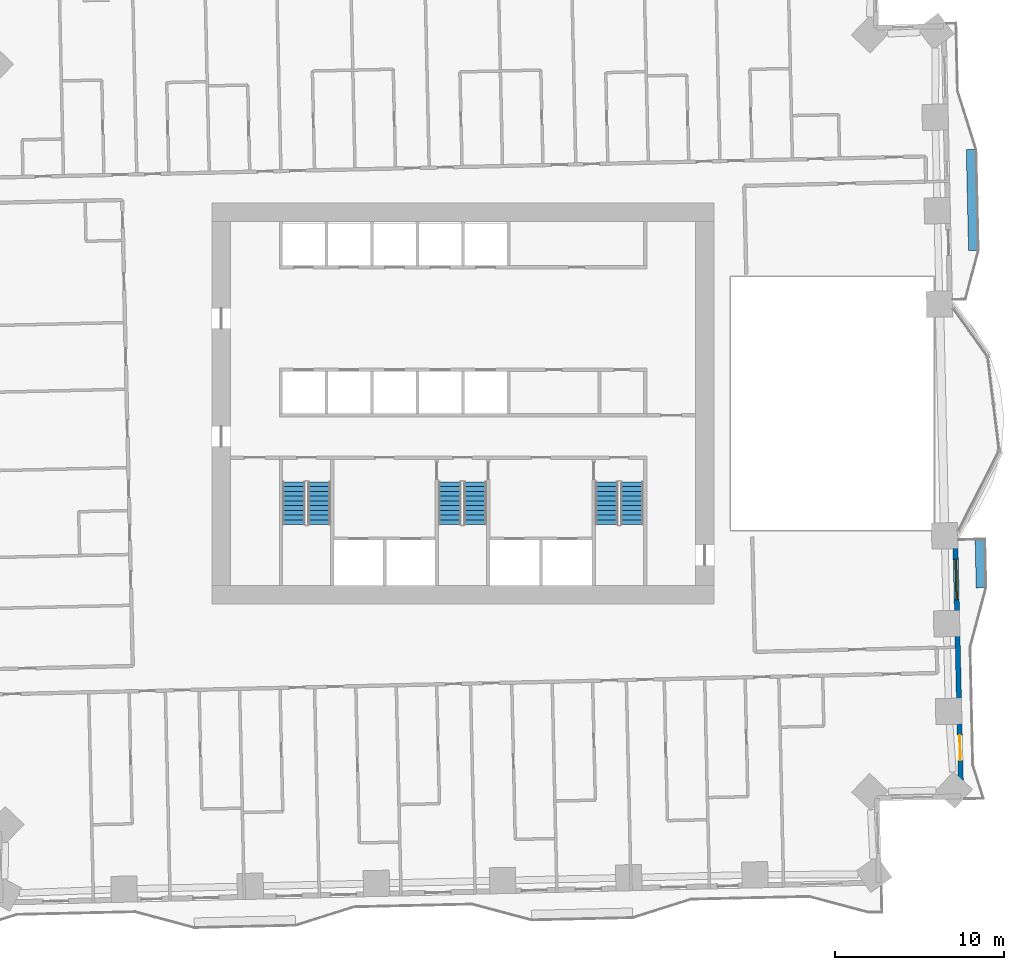
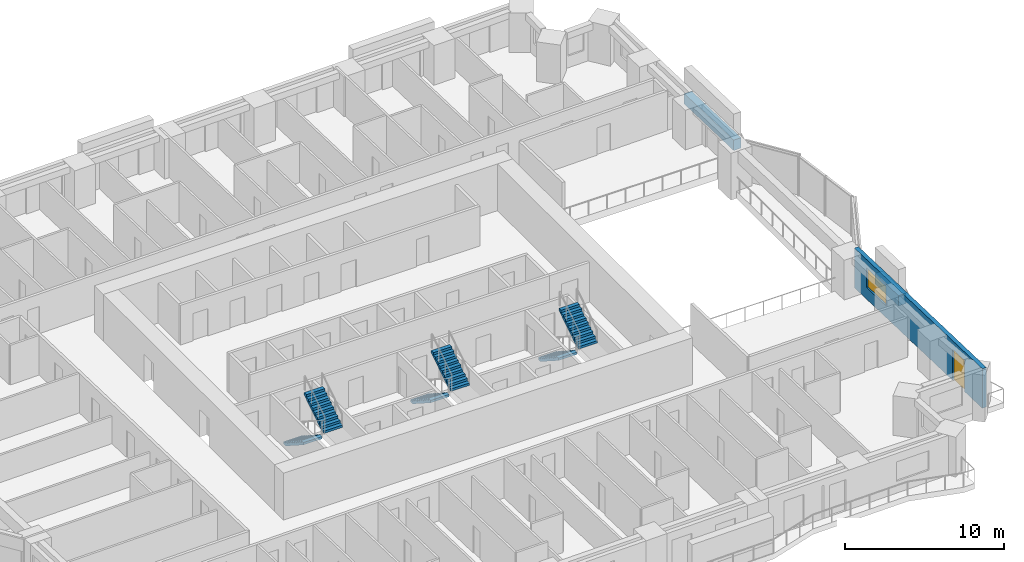
# One storey, part 12 of 16: 6 stair flights, 3 walls, 1 door, 1 window, 2 openings, 3 elements without a shape of their own.
"""IFC4 building model written with IfcOpenShell, lengths in metres."""

from ifc_helpers import new_model, si_unit, direction, frame, frame_2d, origin, place, context, subcontext, project, spatial, polyline, rectangle, outline, extrude, material, layer, layer_set, type_object, element, fill, aggregate, save


model = new_model("IFC4")

# Units and contexts
model_context = context("Model", 3, precision=1e-05, world=origin(), true_north=direction((0.0, 1.0)))
body_context = subcontext(model_context, "Body", "Model", "MODEL_VIEW")
ifc_project = project(units=[si_unit("LENGTHUNIT", "METRE"), si_unit("AREAUNIT", "SQUARE_METRE"), si_unit("VOLUMEUNIT", "CUBIC_METRE"), si_unit("PLANEANGLEUNIT", "RADIAN"), si_unit("MASSUNIT", "GRAM", prefix="KILO")], contexts=[model_context])

# Site, building, storey
site_placement = place(None, origin())
site = spatial("IfcSite", under=ifc_project, at=site_placement, CompositionType="ELEMENT")
building_placement = place(site_placement, origin())
building = spatial("IfcBuilding", under=site, at=building_placement, Name="Mangrove Gate Tower", CompositionType="ELEMENT")
storey_placement = place(building_placement, frame((0.0, 0.0, 37.699951171875)))
storey = spatial("IfcBuildingStorey", under=building, at=storey_placement, Name="L08", CompositionType="ELEMENT", Elevation=37.699951171875)

# Wall, openings, door, window
ifc_material_1 = material(Name="Limestone", Category="masonry")
ifc_layer_1 = layer(ifc_material_1, 0.0400390625, Name="Limestone cladding")
ifc_material_2 = material(Name="Ventilated air gap")
ifc_layer_2 = layer(ifc_material_2, 0.0400390625, Name="Ventilated cavity")
ifc_material_3 = material(Name="Mineral wool insulation")
ifc_layer_3 = layer(ifc_material_3, 0.06005859375, Name="Insulation")
ifc_material_4 = material(Name="Breather membrane")
ifc_layer_4 = layer(ifc_material_4, 0.001953125, Name="Breather membrane")
ifc_material_5 = material(Name="Concrete C20/25 blockwork", Category="masonry")
ifc_layer_5 = layer(ifc_material_5, 0.14990234375, Name="Blockwork backing wall")
ifc_material_6 = material(Name="Gypsum plaster")
ifc_layer_6 = layer(ifc_material_6, 0.008056640625, Name="Internal plaster")
ifc_layer_set_1 = layer_set([ifc_layer_1, ifc_layer_2, ifc_layer_3, ifc_layer_4, ifc_layer_5, ifc_layer_6], Name="External wall 300 limestone cladding")
wall_type_1 = type_object("IfcWallType", Name="External wall 300 limestone cladding", PredefinedType="SOLIDWALL", material=ifc_layer_set_1)
wall_1_placement = place(storey_placement, frame((29.549072265625, -23.299072265625, 0.0), z_axis=(0.0, 0.0, 1.0), x_axis=(-0.022670336976, 0.999742994885, 0.0)))
wall_1 = element("IfcWall", 1, at=wall_1_placement, inside=storey, type_object=wall_type_1, Name="WALL-L08-E0", PredefinedType="SOLIDWALL", context=body_context, shape_type="SweptSolid", body=[
    extrude(rectangle(XDim=15.529052734375, YDim=0.300048828125, at=frame_2d((7.7646484375, 0.0))), origin(), (0.0, 0.0, 1.0), 3.050048828125),
])
opening_1_placement = place(wall_1_placement, frame((2.133056640625, 0.0, 0.0)))
opening_1 = element("IfcOpeningElement", 2, at=opening_1_placement, cuts=wall_1, Name="Opening BD1", PredefinedType="OPENING", context=body_context, shape_type="SweptSolid", body=[
    extrude(rectangle(XDim=1.5, YDim=2.39990234375, at=frame_2d((0.75, 1.199951171875))), frame((0.0, 0.159912109375, 0.0), z_axis=(0.0, -1.0, 0.0), x_axis=(1.0, 0.0, 0.0)), (0.0, 0.0, 1.0), 0.320068359375),
])
opening_2_placement = place(wall_1_placement, frame((11.669921875, 0.0, 0.89990234375)))
opening_2 = element("IfcOpeningElement", 3, at=opening_2_placement, cuts=wall_1, Name="Opening W2", PredefinedType="OPENING", context=body_context, shape_type="SweptSolid", body=[
    extrude(rectangle(XDim=2.39990234375, YDim=1.5, at=frame_2d((1.199951171875, 0.75))), frame((0.0, 0.159912109375, 0.0), z_axis=(0.0, -1.0, 0.0), x_axis=(1.0, 0.0, 0.0)), (0.0, 0.0, 1.0), 0.320068359375),
])
ifc_material_7 = material(Name="Aluminium frame with laminated clear glass", Category="aluminium")
door_type = type_object("IfcDoorType", Name="Balcony sliding door 1500x2400", OperationType="SLIDING_TO_LEFT", PredefinedType="DOOR", material=ifc_material_7)
door_placement = place(opening_1_placement, origin())
door = element("IfcDoor", 4, at=door_placement, inside=storey, type_object=door_type, Name="DOOR-L08-E0-1", OperationType="SLIDING_TO_LEFT", OverallHeight=2.39990234375, OverallWidth=1.5, PredefinedType="DOOR", context=body_context, shape_type="SweptSolid", body=[
    extrude(rectangle(XDim=1.5, YDim=2.39990234375, at=frame_2d((0.75, 1.199951171875))), frame((0.0, 0.02490234375, 0.0), z_axis=(0.0, -1.0, 0.0), x_axis=(1.0, 0.0, 0.0)), (0.0, 0.0, 1.0), 0.050048828125),
])
fill(opening_1, door)
ifc_material_8 = material(Name="Aluminium frame with double-glazed low-e glass", Category="aluminium")
window_type = type_object("IfcWindowType", Name="Corner room window 2400x1500", PartitioningType="DOUBLE_PANEL_VERTICAL", PredefinedType="WINDOW", material=ifc_material_8)
window_placement = place(opening_2_placement, origin())
window = element("IfcWindow", 5, at=window_placement, inside=storey, type_object=window_type, Name="WIN-L08-E0-2", OverallHeight=1.5, OverallWidth=2.39990234375, PartitioningType="DOUBLE_PANEL_VERTICAL", PredefinedType="WINDOW", context=body_context, shape_type="SweptSolid", body=[
    extrude(rectangle(XDim=2.39990234375, YDim=1.5, at=frame_2d((1.199951171875, 0.75))), frame((0.0, 0.030029296875, 0.0), z_axis=(0.0, -1.0, 0.0), x_axis=(1.0, 0.0, 0.0)), (0.0, 0.0, 1.0), 0.06005859375),
])
fill(opening_2, window)

# Walls
ifc_material_9 = material(Name="Concrete C32/40", Category="concrete")
ifc_layer_7 = layer(ifc_material_9, 0.199951171875, Name="Planter trough wall")
ifc_material_10 = material(Name="Bituminous waterproofing membrane")
ifc_layer_8 = layer(ifc_material_10, 0.0048828125, Name="Waterproofing")
ifc_material_11 = material(Name="Drainage board and gravel")
ifc_layer_9 = layer(ifc_material_11, 0.044921875, Name="Drainage layer")
ifc_material_12 = material(Name="Planting soil")
ifc_layer_10 = layer(ifc_material_12, 0.300048828125, Name="Growing medium")
ifc_layer_set_2 = layer_set([ifc_layer_7, ifc_layer_8, ifc_layer_9, ifc_layer_10], Name="Planter wall 550 C32/40")
wall_type_2 = type_object("IfcWallType", Name="Planter wall 550 C32/40", PredefinedType="USERDEFINED", material=ifc_layer_set_2)
wall_2_placement = place(storey_placement, frame((30.718017578125, -10.919921875, 0.0), z_axis=(0.0, 0.0, 1.0), x_axis=(-0.022590224177, 0.999744808324, 0.0)))
element("IfcWall", 6, at=wall_2_placement, inside=storey, type_object=wall_type_2, Name="PLANTER L08 E0.1", ObjectType="PLANTER", PredefinedType="USERDEFINED", context=body_context, shape_type="SweptSolid", body=[
    extrude(rectangle(XDim=2.874755859375, YDim=0.550048828125, at=frame_2d((1.4375, 0.0))), origin(), (0.0, 0.0, 1.0), 0.800048828125),
])
wall_3_placement = place(storey_placement, frame((30.263916015625, 9.074951171875, 0.0), z_axis=(0.0, 0.0, 1.0), x_axis=(-0.022662255828, 0.999743178102, 0.0)))
element("IfcWall", 7, at=wall_3_placement, inside=storey, type_object=wall_type_2, Name="PLANTER L08 E1.1", ObjectType="PLANTER", PredefinedType="USERDEFINED", context=body_context, shape_type="SweptSolid", body=[
    extrude(rectangle(XDim=6.00048828125, YDim=0.550048828125, at=frame_2d((3.000244140625, 0.0))), origin(), (0.0, 0.0, 1.0), 0.800048828125),
])

# Stair, stair flights
ifc_material_13 = material(Name="Concrete C40/50", Category="concrete")
stair_type = type_object("IfcStairType", Name="Core stair 1350", PredefinedType="HALF_TURN_STAIR", material=ifc_material_13)
stair_1_placement = place(storey_placement, origin())
stair_1 = element("IfcStair", 8, at=stair_1_placement, inside=storey, type_object=stair_type, Name="L08 Stair 1", PredefinedType="HALF_TURN_STAIR")
ifc_material_14 = material(Name="Concrete C40/50", Category="concrete")
stair_flight_type = type_object("IfcStairFlightType", Name="Core stair flight 1350", PredefinedType="STRAIGHT", material=ifc_material_14)
stair_flight_1_placement = place(storey_placement, frame((-10.02490234375, -4.64990234375, 0.0), z_axis=(0.0, 0.0, 1.0), x_axis=(0.0, -1.0, 0.0)))
stair_flight_1 = element("IfcStairFlight", 9, at=stair_flight_1_placement, type_object=stair_flight_type, Name="ST1 flight 1", NumberOfRisers=10, NumberOfTreads=9, PredefinedType="STRAIGHT", RiserHeight=0.18, TreadLength=0.28, context=body_context, shape_type="SweptSolid", body=[
    extrude(outline(polyline([(0.0, 0.0), (0.0, 0.179931640625), (0.280029296875, 0.179931640625), (0.280029296875, 0.360107421875), (0.56005859375, 0.360107421875), (0.56005859375, 0.5400390625), (0.840087890625, 0.5400390625), (0.840087890625, 0.719970703125), (1.1201171875, 0.719970703125), (1.1201171875, 0.89990234375), (1.39990234375, 0.89990234375), (1.39990234375, 1.080078125), (1.679931640625, 1.080078125), (1.679931640625, 1.260009765625), (1.9599609375, 1.260009765625), (1.9599609375, 1.43994140625), (2.239990234375, 1.43994140625), (2.239990234375, 1.6201171875), (2.52001953125, 1.6201171875), (2.52001953125, 1.800048828125), (2.52001953125, 1.44189453125), (0.277099609375, 0.0), (0.0, 0.0)])), frame((0.0, 0.675048828125, 0.0), z_axis=(0.0, -1.0, 0.0), x_axis=(1.0, 0.0, 0.0)), (0.0, 0.0, 1.0), 1.35009765625),
])
stair_flight_2_placement = place(storey_placement, frame((-8.52490234375, -7.169921875, 1.800048828125), z_axis=(0.0, 0.0, 1.0), x_axis=(0.0, 1.0, 0.0)))
stair_flight_2 = element("IfcStairFlight", 10, at=stair_flight_2_placement, type_object=stair_flight_type, Name="ST1 flight 2", NumberOfRisers=10, NumberOfTreads=9, PredefinedType="STRAIGHT", RiserHeight=0.18, TreadLength=0.28, context=body_context, shape_type="SweptSolid", body=[
    extrude(outline(polyline([(0.0, 0.0), (0.0, 0.179931640625), (0.280029296875, 0.179931640625), (0.280029296875, 0.360107421875), (0.56005859375, 0.360107421875), (0.56005859375, 0.5400390625), (0.840087890625, 0.5400390625), (0.840087890625, 0.719970703125), (1.1201171875, 0.719970703125), (1.1201171875, 0.89990234375), (1.39990234375, 0.89990234375), (1.39990234375, 1.080078125), (1.679931640625, 1.080078125), (1.679931640625, 1.260009765625), (1.9599609375, 1.260009765625), (1.9599609375, 1.43994140625), (2.239990234375, 1.43994140625), (2.239990234375, 1.6201171875), (2.52001953125, 1.6201171875), (2.52001953125, 1.800048828125), (2.52001953125, 1.44189453125), (0.277099609375, 0.0), (0.0, 0.0)])), frame((0.0, 0.675048828125, 0.0), z_axis=(0.0, -1.0, 0.0), x_axis=(1.0, 0.0, 0.0)), (0.0, 0.0, 1.0), 1.35009765625),
])
aggregate(stair_1, [stair_flight_1, stair_flight_2])

stair_2_placement = place(storey_placement, origin())
stair_2 = element("IfcStair", 11, at=stair_2_placement, inside=storey, type_object=stair_type, Name="L08 Stair 2", PredefinedType="HALF_TURN_STAIR")
stair_flight_3_placement = place(storey_placement, frame((-0.77490234375, -4.64990234375, 0.0), z_axis=(0.0, 0.0, 1.0), x_axis=(0.0, -1.0, 0.0)))
stair_flight_3 = element("IfcStairFlight", 12, at=stair_flight_3_placement, type_object=stair_flight_type, Name="ST2 flight 1", NumberOfRisers=10, NumberOfTreads=9, PredefinedType="STRAIGHT", RiserHeight=0.18, TreadLength=0.28, context=body_context, shape_type="SweptSolid", body=[
    extrude(outline(polyline([(0.0, 0.0), (0.0, 0.179931640625), (0.280029296875, 0.179931640625), (0.280029296875, 0.360107421875), (0.56005859375, 0.360107421875), (0.56005859375, 0.5400390625), (0.840087890625, 0.5400390625), (0.840087890625, 0.719970703125), (1.1201171875, 0.719970703125), (1.1201171875, 0.89990234375), (1.39990234375, 0.89990234375), (1.39990234375, 1.080078125), (1.679931640625, 1.080078125), (1.679931640625, 1.260009765625), (1.9599609375, 1.260009765625), (1.9599609375, 1.43994140625), (2.239990234375, 1.43994140625), (2.239990234375, 1.6201171875), (2.52001953125, 1.6201171875), (2.52001953125, 1.800048828125), (2.52001953125, 1.44189453125), (0.277099609375, 0.0), (0.0, 0.0)])), frame((0.0, 0.675048828125, 0.0), z_axis=(0.0, -1.0, 0.0), x_axis=(1.0, 0.0, 0.0)), (0.0, 0.0, 1.0), 1.35009765625),
])
stair_flight_4_placement = place(storey_placement, frame((0.72509765625, -7.169921875, 1.800048828125), z_axis=(0.0, 0.0, 1.0), x_axis=(0.0, 1.0, 0.0)))
stair_flight_4 = element("IfcStairFlight", 13, at=stair_flight_4_placement, type_object=stair_flight_type, Name="ST2 flight 2", NumberOfRisers=10, NumberOfTreads=9, PredefinedType="STRAIGHT", RiserHeight=0.18, TreadLength=0.28, context=body_context, shape_type="SweptSolid", body=[
    extrude(outline(polyline([(0.0, 0.0), (0.0, 0.179931640625), (0.280029296875, 0.179931640625), (0.280029296875, 0.360107421875), (0.56005859375, 0.360107421875), (0.56005859375, 0.5400390625), (0.840087890625, 0.5400390625), (0.840087890625, 0.719970703125), (1.1201171875, 0.719970703125), (1.1201171875, 0.89990234375), (1.39990234375, 0.89990234375), (1.39990234375, 1.080078125), (1.679931640625, 1.080078125), (1.679931640625, 1.260009765625), (1.9599609375, 1.260009765625), (1.9599609375, 1.43994140625), (2.239990234375, 1.43994140625), (2.239990234375, 1.6201171875), (2.52001953125, 1.6201171875), (2.52001953125, 1.800048828125), (2.52001953125, 1.44189453125), (0.277099609375, 0.0), (0.0, 0.0)])), frame((0.0, 0.675048828125, 0.0), z_axis=(0.0, -1.0, 0.0), x_axis=(1.0, 0.0, 0.0)), (0.0, 0.0, 1.0), 1.35009765625),
])
aggregate(stair_2, [stair_flight_3, stair_flight_4])

stair_3_placement = place(storey_placement, origin())
stair_3 = element("IfcStair", 14, at=stair_3_placement, inside=storey, type_object=stair_type, Name="L08 Stair 3", PredefinedType="HALF_TURN_STAIR")
stair_flight_5_placement = place(storey_placement, frame((8.52490234375, -4.64990234375, 0.0), z_axis=(0.0, 0.0, 1.0), x_axis=(0.0, -1.0, 0.0)))
stair_flight_5 = element("IfcStairFlight", 15, at=stair_flight_5_placement, type_object=stair_flight_type, Name="ST3 flight 1", NumberOfRisers=10, NumberOfTreads=9, PredefinedType="STRAIGHT", RiserHeight=0.18, TreadLength=0.28, context=body_context, shape_type="SweptSolid", body=[
    extrude(outline(polyline([(0.0, 0.0), (0.0, 0.179931640625), (0.280029296875, 0.179931640625), (0.280029296875, 0.360107421875), (0.56005859375, 0.360107421875), (0.56005859375, 0.5400390625), (0.840087890625, 0.5400390625), (0.840087890625, 0.719970703125), (1.1201171875, 0.719970703125), (1.1201171875, 0.89990234375), (1.39990234375, 0.89990234375), (1.39990234375, 1.080078125), (1.679931640625, 1.080078125), (1.679931640625, 1.260009765625), (1.9599609375, 1.260009765625), (1.9599609375, 1.43994140625), (2.239990234375, 1.43994140625), (2.239990234375, 1.6201171875), (2.52001953125, 1.6201171875), (2.52001953125, 1.800048828125), (2.52001953125, 1.44189453125), (0.277099609375, 0.0), (0.0, 0.0)])), frame((0.0, 0.675048828125, 0.0), z_axis=(0.0, -1.0, 0.0), x_axis=(1.0, 0.0, 0.0)), (0.0, 0.0, 1.0), 1.35009765625),
])
stair_flight_6_placement = place(storey_placement, frame((10.02490234375, -7.169921875, 1.800048828125), z_axis=(0.0, 0.0, 1.0), x_axis=(0.0, 1.0, 0.0)))
stair_flight_6 = element("IfcStairFlight", 16, at=stair_flight_6_placement, type_object=stair_flight_type, Name="ST3 flight 2", NumberOfRisers=10, NumberOfTreads=9, PredefinedType="STRAIGHT", RiserHeight=0.18, TreadLength=0.28, context=body_context, shape_type="SweptSolid", body=[
    extrude(outline(polyline([(0.0, 0.0), (0.0, 0.179931640625), (0.280029296875, 0.179931640625), (0.280029296875, 0.360107421875), (0.56005859375, 0.360107421875), (0.56005859375, 0.5400390625), (0.840087890625, 0.5400390625), (0.840087890625, 0.719970703125), (1.1201171875, 0.719970703125), (1.1201171875, 0.89990234375), (1.39990234375, 0.89990234375), (1.39990234375, 1.080078125), (1.679931640625, 1.080078125), (1.679931640625, 1.260009765625), (1.9599609375, 1.260009765625), (1.9599609375, 1.43994140625), (2.239990234375, 1.43994140625), (2.239990234375, 1.6201171875), (2.52001953125, 1.6201171875), (2.52001953125, 1.800048828125), (2.52001953125, 1.44189453125), (0.277099609375, 0.0), (0.0, 0.0)])), frame((0.0, 0.675048828125, 0.0), z_axis=(0.0, -1.0, 0.0), x_axis=(1.0, 0.0, 0.0)), (0.0, 0.0, 1.0), 1.35009765625),
])
aggregate(stair_3, [stair_flight_5, stair_flight_6])

save(model, "model.ifc")
